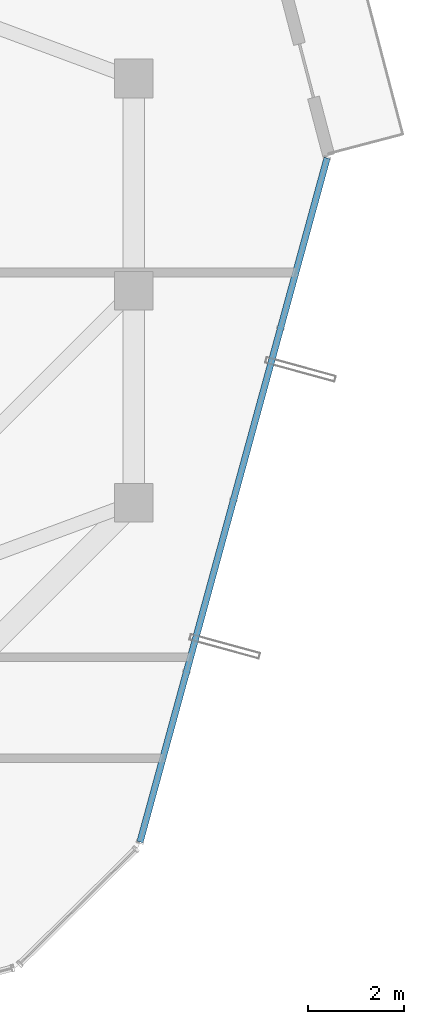
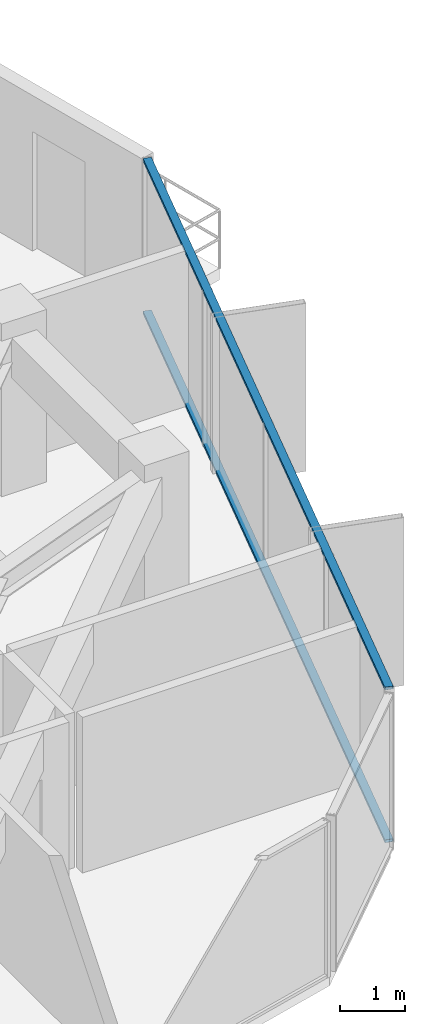
# One storey, part 19 of 29: 2 members, 1 element without a shape of its own.
"""IFC4 building model written with IfcOpenShell, lengths in metres."""

from ifc_helpers import new_model, si_unit, direction, frame, origin, origin_2d, place, context, subcontext, project, spatial, hollow_rectangle, extrude, source, transform, mapped, material, layer, layer_set, material_profile, profile_set, type_object, element, aggregate, save


model = new_model("IFC4")

# Units and contexts
model_context = context("Model", 3, precision=1e-05, world=origin(), true_north=direction((0.0, 1.0)))
body_context = subcontext(model_context, "Body", "Model", "MODEL_VIEW")
ifc_project = project(units=[si_unit("LENGTHUNIT", "METRE"), si_unit("AREAUNIT", "SQUARE_METRE"), si_unit("VOLUMEUNIT", "CUBIC_METRE"), si_unit("PLANEANGLEUNIT", "RADIAN"), si_unit("MASSUNIT", "GRAM", prefix="KILO")], contexts=[model_context])

# Site, building, storey
site_placement = place(None, origin())
site = spatial("IfcSite", under=ifc_project, at=site_placement, CompositionType="ELEMENT")
building_placement = place(site_placement, origin())
building = spatial("IfcBuilding", under=site, at=building_placement, Name="Veraguas Prism Commons", CompositionType="ELEMENT")
storey_placement = place(building_placement, frame((0.0, 0.0, 261.0)))
storey = spatial("IfcBuildingStorey", under=building, at=storey_placement, Name="L74", CompositionType="ELEMENT", Elevation=261.0)

# Curtain wall, members
ifc_material = material(Name="Anodised aluminium EN AW-6063 T6", Category="aluminium")
ifc_layer = layer(ifc_material, 0.14990234375, Name="Unitised Flush Curtain Wall Zone 4", Category="aluminium")
ifc_layer_set = layer_set([ifc_layer], Name="Anodised aluminium EN AW-6063 T6")
curtain_wall_type = type_object("IfcCurtainWallType", Name="Unitised Flush Curtain Wall Zone 4", PredefinedType="NOTDEFINED", material=ifc_layer_set)
curtain_wall_placement = place(storey_placement, origin())
curtain_wall = element("IfcCurtainWall", 1, at=curtain_wall_placement, inside=storey, type_object=curtain_wall_type, Name="Tower Facade Curtain Wall L74-F6", PredefinedType="NOTDEFINED")
ifc_material_profile = material_profile(ifc_material, hollow_rectangle(XDim=0.054931640625, YDim=0.135009765625, WallThickness=0.0029296875, at=origin_2d()), Name="AL55X135X3")
ifc_profile_set = profile_set([ifc_material_profile], Name="Anodised aluminium EN AW-6063 T6")
member_type = type_object("IfcMemberType", Name="Curtain Wall Transom Standard AL 55x135x3", PredefinedType="USERDEFINED", material=ifc_profile_set)
shared_shape = source(origin(), body_context, "Body", "SweptSolid", [
    extrude(hollow_rectangle(XDim=0.054931640625, YDim=0.135009765625, WallThickness=0.0029296875, at=origin_2d()), origin(), (0.0, 0.0, 1.0), 14.70654296875),
])
member_1_placement = place(storey_placement, frame((37.930908203125, 12.5654296875, 0.027587890625), z_axis=(0.263885682141, 0.964553962597, 0.0), x_axis=(0.0, 0.0, 1.0)))
member_1 = element("IfcMember", 2, at=member_1_placement, type_object=member_type, Name="CW-Z4 Transom 1", ObjectType="TRANSOM", PredefinedType="USERDEFINED", context=body_context, shape_type="MappedRepresentation", body=[
    mapped(shared_shape, transform((0.0, 0.0, 0.0), scale=1.0)),
])
member_2_placement = place(storey_placement, frame((37.930908203125, 12.5654296875, 2.902587890625), z_axis=(0.263885682141, 0.964553962597, 0.0), x_axis=(0.0, 0.0, 1.0)))
member_2 = element("IfcMember", 3, at=member_2_placement, type_object=member_type, Name="CW-Z4 Transom 2", ObjectType="TRANSOM", PredefinedType="USERDEFINED", context=body_context, shape_type="MappedRepresentation", body=[
    mapped(shared_shape, transform((0.0, 0.0, 0.0), scale=1.0)),
])
aggregate(curtain_wall, [member_1, member_2])

save(model, "model.ifc")
